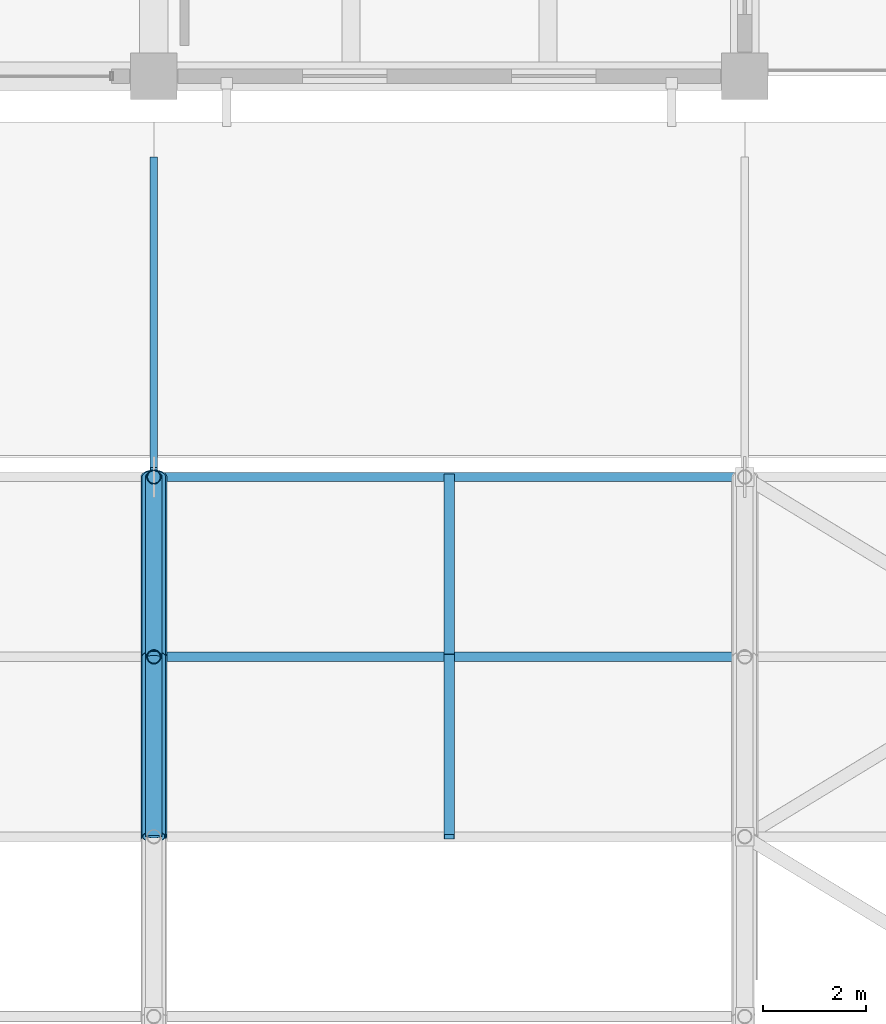
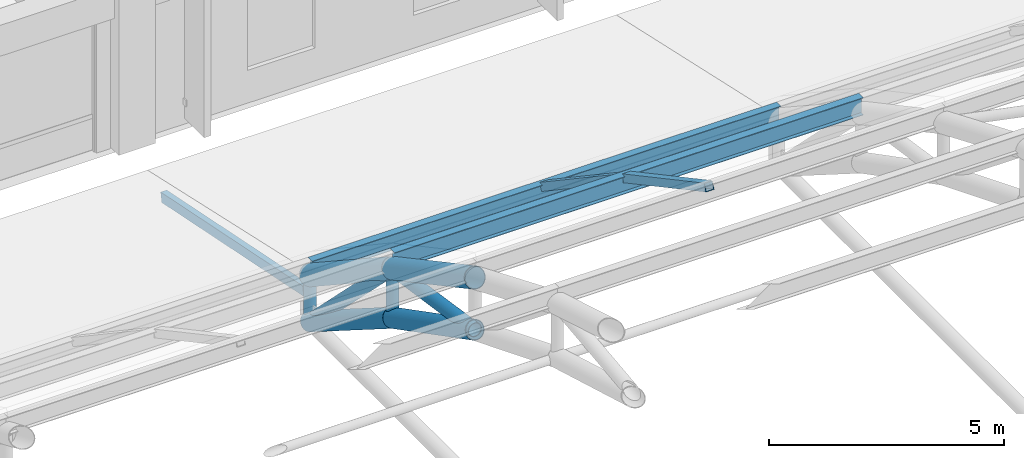
# One storey, part 114 of 154: 13 members.
"""IFC4 building model written with IfcOpenShell, lengths in metres."""

from ifc_helpers import new_model, si_unit, direction, frame, origin, origin_2d, place, context, subcontext, project, spatial, hollow_rectangle, hollow_circle, i_section, extrude, material, material_profile, profile_set, type_object, element, save


model = new_model("IFC4")

# Units and contexts
model_context = context("Model", 3, precision=1e-05, world=origin(), true_north=direction((0.0, 1.0)))
body_context = subcontext(model_context, "Body", "Model", "MODEL_VIEW")
ifc_project = project(units=[si_unit("LENGTHUNIT", "METRE"), si_unit("AREAUNIT", "SQUARE_METRE"), si_unit("VOLUMEUNIT", "CUBIC_METRE"), si_unit("PLANEANGLEUNIT", "RADIAN"), si_unit("MASSUNIT", "GRAM", prefix="KILO")], contexts=[model_context])

# Site, building, storey
site_placement = place(None, origin())
site = spatial("IfcSite", under=ifc_project, at=site_placement, CompositionType="ELEMENT")
building_placement = place(site_placement, origin())
building = spatial("IfcBuilding", under=site, at=building_placement, Name="Ologun Quay Terminus", CompositionType="ELEMENT")
storey_placement = place(building_placement, frame((0.0, 0.0, 13.800048828125)))
storey = spatial("IfcBuildingStorey", under=building, at=storey_placement, Name="L03", CompositionType="ELEMENT", Elevation=13.800048828125)

# Members
ifc_material_1 = material(Name="Steel S355", Category="steel")
ifc_material_profile_1 = material_profile(ifc_material_1, hollow_circle(Radius=0.136474609375, WallThickness=0.010009765625, at=origin_2d()), Name="CHS 273x10")
ifc_profile_set_1 = profile_set([ifc_material_profile_1], Name="Steel S355")
member_type_1 = type_object("IfcMemberType", Name="Arch Truss Vertical Post CHS273", PredefinedType="STRUT", material=ifc_profile_set_1)
member_1_placement = place(storey_placement, frame((149.5, 74.5, 2.212158203125), z_axis=(0.0, 0.0, 1.0), x_axis=(1.0, 0.0, 0.0)))
element("IfcMember", 1, at=member_1_placement, inside=storey, type_object=member_type_1, Name="AW2 Arch Web Post 14-N11", PredefinedType="STRUT", context=body_context, shape_type="SweptSolid", body=[
    extrude(hollow_circle(Radius=0.136474609375, WallThickness=0.010009765625, at=origin_2d()), origin(), (0.0, 0.0, 1.0), 1.28564453125),
])
member_2_placement = place(storey_placement, frame((149.5, 78.0, 0.0), z_axis=(0.0, 0.0, 1.0), x_axis=(1.0, 0.0, 0.0)))
element("IfcMember", 2, at=member_2_placement, inside=storey, type_object=member_type_1, Name="AW2 Arch Web Post 14-N12", PredefinedType="STRUT", context=body_context, shape_type="SweptSolid", body=[
    extrude(hollow_circle(Radius=0.136474609375, WallThickness=0.010009765625, at=origin_2d()), origin(), (0.0, 0.0, 1.0), 1.199951171875),
])
ifc_material_2 = material(Name="Steel S355", Category="steel")
ifc_material_profile_2 = material_profile(ifc_material_2, hollow_circle(Radius=0.161865234375, WallThickness=0.010009765625, at=origin_2d()), Name="CHS 323.9x10")
ifc_profile_set_2 = profile_set([ifc_material_profile_2], Name="Steel S355")
member_type_2 = type_object("IfcMemberType", Name="Arch Truss Web Diagonal CHS323", PredefinedType="BRACE", material=ifc_profile_set_2)
member_3_placement = place(storey_placement, frame((149.5, 71.0, 4.022216796875), z_axis=(0.0, 0.988960627525, -0.148178531524), x_axis=(-1.0, 0.0, 0.0)))
element("IfcMember", 3, at=member_3_placement, inside=storey, type_object=member_type_2, Name="AW1 Arch Web Diagonal 14-P11", PredefinedType="BRACE", context=body_context, shape_type="SweptSolid", body=[
    extrude(hollow_circle(Radius=0.161865234375, WallThickness=0.010009765625, at=origin_2d()), origin(), (0.0, 0.0, 1.0), 3.5390625),
])
member_4_placement = place(storey_placement, frame((149.5, 74.5, 3.497802734375), z_axis=(0.0, 0.707328773357, -0.706884719301), x_axis=(-1.0, 0.0, 0.0)))
element("IfcMember", 4, at=member_4_placement, inside=storey, type_object=member_type_2, Name="AW1 Arch Web Diagonal 14-P12", PredefinedType="BRACE", context=body_context, shape_type="SweptSolid", body=[
    extrude(hollow_circle(Radius=0.161865234375, WallThickness=0.010009765625, at=origin_2d()), origin(), (0.0, 0.0, 1.0), 4.9482421875),
])
ifc_material_3 = material(Name="Steel S355", Category="steel")
ifc_material_profile_3 = material_profile(ifc_material_3, hollow_circle(Radius=0.228515625, WallThickness=0.01611328125, at=origin_2d()), Name="CHS 457x16")
ifc_profile_set_3 = profile_set([ifc_material_profile_3], Name="Steel S355")
member_type_3 = type_object("IfcMemberType", Name="Parabolic Arch Bottom Chord CHS457", PredefinedType="CHORD", material=ifc_profile_set_3)
member_5_placement = place(storey_placement, frame((149.5, 71.0, 4.022216796875), z_axis=(0.0, 0.888247284083, -0.459365608551), x_axis=(-1.0, 0.0, 0.0)))
element("IfcMember", 5, at=member_5_placement, inside=storey, type_object=member_type_3, Name="AC2 Arch Bottom Chord 14-P11", PredefinedType="CHORD", context=body_context, shape_type="SweptSolid", body=[
    extrude(hollow_circle(Radius=0.228515625, WallThickness=0.01611328125, at=origin_2d()), origin(), (0.0, 0.0, 1.0), 3.9404296875),
])
member_6_placement = place(storey_placement, frame((149.5, 74.5, 2.212158203125), z_axis=(0.0, 0.845310912611, -0.534274705578), x_axis=(-1.0, 0.0, 0.0)))
element("IfcMember", 6, at=member_6_placement, inside=storey, type_object=member_type_3, Name="AC2 Arch Bottom Chord 14-P12", PredefinedType="CHORD", context=body_context, shape_type="SweptSolid", body=[
    extrude(hollow_circle(Radius=0.228515625, WallThickness=0.01611328125, at=origin_2d()), origin(), (0.0, 0.0, 1.0), 4.140380859375),
])
ifc_material_4 = material(Name="Steel S355", Category="steel")
ifc_material_profile_4 = material_profile(ifc_material_4, hollow_circle(Radius=0.25390625, WallThickness=0.01611328125, at=origin_2d()), Name="CHS 508x16")
ifc_profile_set_4 = profile_set([ifc_material_profile_4], Name="Steel S355")
member_type_4 = type_object("IfcMemberType", Name="Parabolic Arch Top Chord CHS508", PredefinedType="CHORD", material=ifc_profile_set_4)
member_7_placement = place(storey_placement, frame((149.5, 71.0, 5.377685546875), z_axis=(0.0, 0.880967864924, -0.473176099324), x_axis=(-1.0, 0.0, 0.0)))
element("IfcMember", 7, at=member_7_placement, inside=storey, type_object=member_type_4, Name="Arch Top Chord 14-P11", PredefinedType="CHORD", context=body_context, shape_type="SweptSolid", body=[
    extrude(hollow_circle(Radius=0.25390625, WallThickness=0.01611328125, at=origin_2d()), origin(), (0.0, 0.0, 1.0), 3.972900390625),
])
member_8_placement = place(storey_placement, frame((149.5, 74.5, 3.497802734375), z_axis=(0.0, 0.835940905918, -0.548819461949), x_axis=(-1.0, 0.0, 0.0)))
element("IfcMember", 8, at=member_8_placement, inside=storey, type_object=member_type_4, Name="Arch Top Chord 14-P12", PredefinedType="CHORD", context=body_context, shape_type="SweptSolid", body=[
    extrude(hollow_circle(Radius=0.25390625, WallThickness=0.01611328125, at=origin_2d()), origin(), (0.0, 0.0, 1.0), 4.18701171875),
])
ifc_material_5 = material(Name="Steel S355", Category="steel")
ifc_material_profile_5 = material_profile(ifc_material_5, hollow_rectangle(XDim=0.199951171875, YDim=0.199951171875, WallThickness=0.008056640625, at=origin_2d()), Name="SHS 200x200x8")
ifc_profile_set_5 = profile_set([ifc_material_profile_5], Name="Steel S355")
member_type_5 = type_object("IfcMemberType", Name="Skylight Cross Transom Bar RHS150", PredefinedType="STRUT", material=ifc_profile_set_5)
member_9_placement = place(storey_placement, frame((155.25, 71.0, 5.731689453125), z_axis=(0.0, 0.880967864924, -0.473176099324), x_axis=(-1.0, 0.0, 0.0)))
element("IfcMember", 9, at=member_9_placement, inside=storey, type_object=member_type_5, Name="SK2 Eave Secondary Rafter B14-P11", PredefinedType="STRUT", context=body_context, shape_type="SweptSolid", body=[
    extrude(hollow_rectangle(XDim=0.199951171875, YDim=0.199951171875, WallThickness=0.008056640625, at=origin_2d()), origin(), (0.0, 0.0, 1.0), 3.972900390625),
])
member_10_placement = place(storey_placement, frame((155.25, 74.5, 3.851806640625), z_axis=(0.0, 0.830398014247, -0.55717065423), x_axis=(-1.0, 0.0, 0.0)))
element("IfcMember", 10, at=member_10_placement, inside=storey, type_object=member_type_5, Name="SK2 Eave Secondary Rafter B14-P12", PredefinedType="STRUT", context=body_context, shape_type="SweptSolid", body=[
    extrude(hollow_rectangle(XDim=0.199951171875, YDim=0.199951171875, WallThickness=0.008056640625, at=origin_2d()), origin(), (0.0, 0.0, 1.0), 4.21484375),
])
ifc_material_6 = material(Name="Steel S355", Category="steel")
ifc_material_profile_6 = material_profile(ifc_material_6, hollow_rectangle(XDim=0.14990234375, YDim=0.25, WallThickness=0.008056640625, at=origin_2d()), Name="RHS 250x150x8")
ifc_profile_set_6 = profile_set([ifc_material_profile_6], Name="Steel S355")
member_type_6 = type_object("IfcMemberType", Name="Skylight Longitudinal Glazing Bar RHS200", PredefinedType="PURLIN", material=ifc_profile_set_6)
member_11_placement = place(storey_placement, frame((149.5, 84.199951171875, -0.520263671875), z_axis=(0.0, -0.98005285553, 0.19873701308), x_axis=(1.0, 0.0, 0.0)))
element("IfcMember", 11, at=member_11_placement, inside=storey, type_object=member_type_6, Name="SK1 Inclined Roof Rafter L03-NGAL-14", PredefinedType="PURLIN", context=body_context, shape_type="SweptSolid", body=[
    extrude(hollow_rectangle(XDim=0.14990234375, YDim=0.25, WallThickness=0.008056640625, at=origin_2d()), origin(), (0.0, 0.0, 1.0), 6.16064453125),
])
ifc_material_7 = material(Name="Steel S355", Category="steel")
ifc_material_profile_7 = material_profile(ifc_material_7, i_section(OverallWidth=0.177978515625, OverallDepth=0.406494140625, WebThickness=0.0078125, FlangeThickness=0.0126953125, at=origin_2d()), Name="UKB 406x178x60")
ifc_profile_set_7 = profile_set([ifc_material_profile_7], Name="Steel S355")
member_type_7 = type_object("IfcMemberType", Name="Train Shed Eave & Ridge Purlin UKB406", PredefinedType="PURLIN", material=ifc_profile_set_7)
member_12_placement = place(storey_placement, frame((149.5, 78.0, 1.403076171875), z_axis=(1.0, 0.0, 0.0), x_axis=(0.0, 1.0, 0.0)))
element("IfcMember", 12, at=member_12_placement, inside=storey, type_object=member_type_7, Name="PR2 Roof Purlin B14-N12", PredefinedType="PURLIN", context=body_context, shape_type="SweptSolid", body=[
    extrude(i_section(OverallWidth=0.177978515625, OverallDepth=0.406494140625, WebThickness=0.0078125, FlangeThickness=0.0126953125, at=origin_2d()), origin(), (0.0, 0.0, 1.0), 11.5),
])
ifc_material_8 = material(Name="Steel S355", Category="steel")
ifc_material_profile_8 = material_profile(ifc_material_8, i_section(OverallWidth=0.1904296875, OverallDepth=0.45703125, WebThickness=0.009033203125, FlangeThickness=0.014404296875, at=origin_2d()), Name="UKB 457x191x74")
ifc_profile_set_8 = profile_set([ifc_material_profile_8], Name="Steel S355")
member_type_8 = type_object("IfcMemberType", Name="Train Shed Primary Roof Purlin UKB457", PredefinedType="PURLIN", material=ifc_profile_set_8)
member_13_placement = place(storey_placement, frame((149.5, 74.5, 3.726318359375), z_axis=(1.0, 0.0, 0.0), x_axis=(0.0, 1.0, 0.0)))
element("IfcMember", 13, at=member_13_placement, inside=storey, type_object=member_type_8, Name="PR1 Roof Purlin B14-N11", PredefinedType="PURLIN", context=body_context, shape_type="SweptSolid", body=[
    extrude(i_section(OverallWidth=0.1904296875, OverallDepth=0.45703125, WebThickness=0.009033203125, FlangeThickness=0.014404296875, at=origin_2d()), origin(), (0.0, 0.0, 1.0), 11.5),
])

save(model, "model.ifc")
